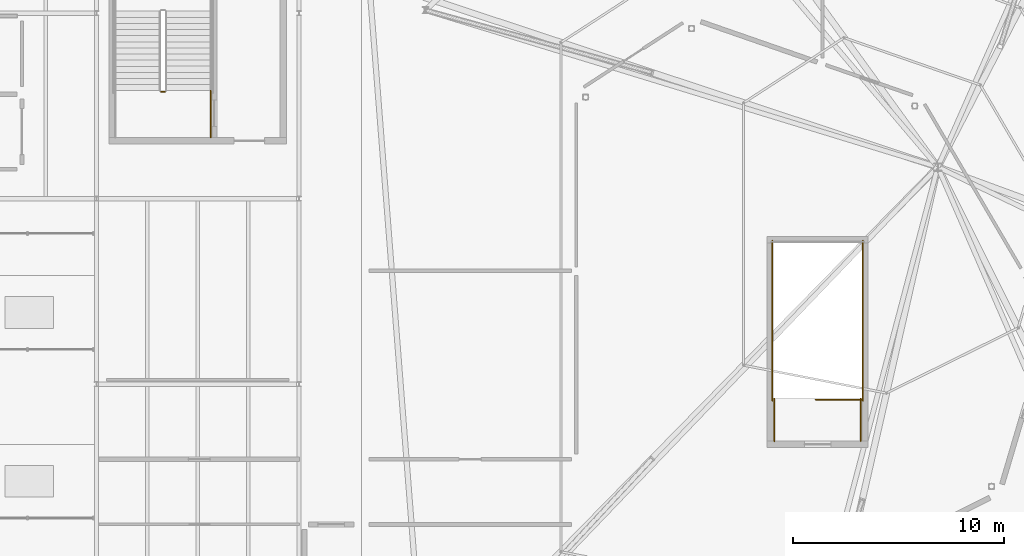
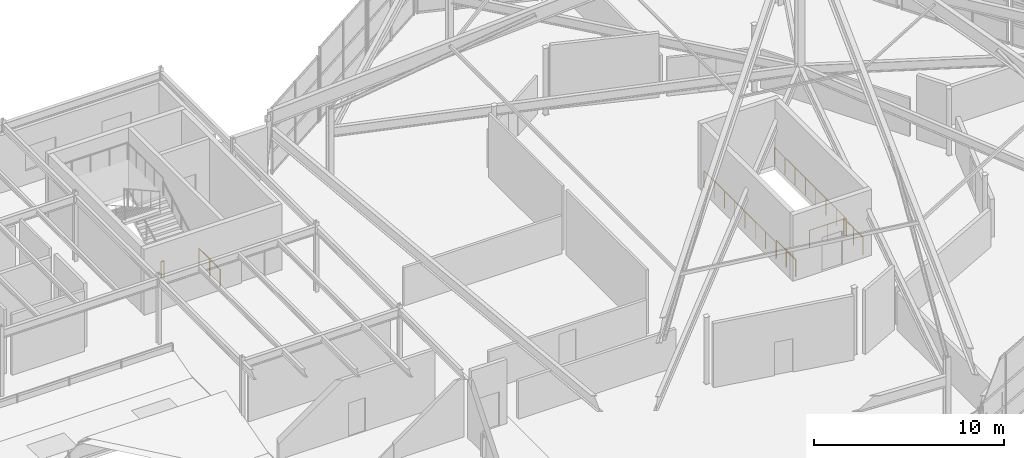
# One storey, part 48 of 50: 7 railings.
"""IFC4 building model written with IfcOpenShell, lengths in metres."""

from ifc_helpers import new_model, si_unit, direction, frame, origin, origin_2d, place, context, subcontext, project, spatial, circle, extrude, material, layer, layer_set, type_object, element, save


model = new_model("IFC4")

# Units and contexts
model_context = context("Model", 3, precision=1e-05, world=origin(), true_north=direction((0.0, 1.0)))
body_context = subcontext(model_context, "Body", "Model", "MODEL_VIEW")
ifc_project = project(units=[si_unit("LENGTHUNIT", "METRE"), si_unit("AREAUNIT", "SQUARE_METRE"), si_unit("VOLUMEUNIT", "CUBIC_METRE"), si_unit("PLANEANGLEUNIT", "RADIAN"), si_unit("MASSUNIT", "GRAM", prefix="KILO")], contexts=[model_context])

# Site, building, storey
site_placement = place(None, origin())
site = spatial("IfcSite", under=ifc_project, at=site_placement, CompositionType="ELEMENT")
building_placement = place(site_placement, origin())
building = spatial("IfcBuilding", under=site, at=building_placement, Name="Sarnbrook Museum", CompositionType="ELEMENT")
storey_placement = place(building_placement, frame((0.0, 0.0, 28.10009765625)))
storey = spatial("IfcBuildingStorey", under=building, at=storey_placement, Name="L05", CompositionType="ELEMENT", Elevation=28.10009765625)

# Railings
ifc_material = material(Name="Brushed Stainless Steel Grade 316", Category="steel")
ifc_layer = layer(ifc_material, 0.050048828125)
ifc_layer_set = layer_set([ifc_layer], Name="Brushed Stainless Steel Grade 316")
railing_type = type_object("IfcRailingType", Name="Guard_Int1120", PredefinedType="BALUSTRADE", material=ifc_layer_set)
railing_1_placement = place(storey_placement, frame((112.840087890625, 97.070068359375, 0.0)))
element("IfcRailing", 1, at=railing_1_placement, inside=storey, type_object=railing_type, Name="L05 ST2 stair guard 7", PredefinedType="BALUSTRADE", context=body_context, shape_type="SweptSolid", body=[
    extrude(circle(Radius=0.02392578125, at=origin_2d()), frame((0.0, 0.0, 1.09619140625), z_axis=(-1.0, 0.0, 0.0), x_axis=(0.0, -1.0, 0.0)), (0.0, 0.0, 1.0), 0.18017578125),
    extrude(circle(Radius=0.02099609375, at=origin_2d()), origin(), (0.0, 0.0, 1.0), 1.072021484375),
    extrude(circle(Radius=0.02099609375, at=origin_2d()), frame((-0.18017578125, 0.0, 0.0)), (0.0, 0.0, 1.0), 1.072021484375),
])
railing_2_placement = place(storey_placement, frame((115.010009765625, 94.89990234375, 0.0)))
element("IfcRailing", 2, at=railing_2_placement, inside=storey, type_object=railing_type, Name="L05 ST2 stair guard 8", PredefinedType="BALUSTRADE", context=body_context, shape_type="SweptSolid", body=[
    extrude(circle(Radius=0.02392578125, at=origin_2d()), frame((0.0, 0.0, 1.09619140625), z_axis=(0.0, 1.0, 0.0), x_axis=(-1.0, 0.0, 0.0)), (0.0, 0.0, 1.0), 2.22021484375),
    extrude(circle(Radius=0.02099609375, at=origin_2d()), origin(), (0.0, 0.0, 1.0), 1.072021484375),
    extrude(circle(Radius=0.02099609375, at=origin_2d()), frame((0.0, 1.110107421875, 0.0)), (0.0, 0.0, 1.0), 1.072021484375),
    extrude(circle(Radius=0.02099609375, at=origin_2d()), frame((0.0, 2.22021484375, 0.0)), (0.0, 0.0, 1.0), 1.072021484375),
])
railing_3_placement = place(storey_placement, frame((145.89990234375, 82.469970703125, 0.0)))
element("IfcRailing", 3, at=railing_3_placement, inside=storey, type_object=railing_type, Name="L05 ST7 top well guard 1", PredefinedType="BALUSTRADE", context=body_context, shape_type="SweptSolid", body=[
    extrude(circle(Radius=0.02392578125, at=origin_2d()), frame((0.0, 0.0, 1.09619140625), z_axis=(-1.0, 0.0, 0.0), x_axis=(0.0, -1.0, 0.0)), (0.0, 0.0, 1.0), 2.179931640625),
    extrude(circle(Radius=0.02099609375, at=origin_2d()), origin(), (0.0, 0.0, 1.0), 1.072021484375),
    extrude(circle(Radius=0.02099609375, at=origin_2d()), frame((-1.08984375, 0.0, 0.0)), (0.0, 0.0, 1.0), 1.072021484375),
    extrude(circle(Radius=0.02099609375, at=origin_2d()), frame((-2.179931640625, 0.0, 0.0)), (0.0, 0.0, 1.0), 1.072021484375),
])
for number, where, name in (
    (4, (145.949951171875, 82.419921875, 0.0), "L05 ST7 top well guard 2"),
    (5, (141.64990234375, 82.419921875, 0.0), "L05 ST7 top well guard 3"),
):
    element("IfcRailing", number, at=place(storey_placement, frame(where)), inside=storey, type_object=railing_type, Name=name, PredefinedType="BALUSTRADE", context=body_context, shape_type="SweptSolid", body=[
        extrude(circle(Radius=0.02392578125, at=origin_2d()), frame((0.0, 0.0, 1.09619140625), z_axis=(0.0, 1.0, 0.0), x_axis=(-1.0, 0.0, 0.0)), (0.0, 0.0, 1.0), 7.580078125),
        extrude(circle(Radius=0.02099609375, at=origin_2d()), origin(), (0.0, 0.0, 1.0), 1.072021484375),
        extrude(circle(Radius=0.02099609375, at=origin_2d()), frame((0.0, 1.082763671875, 0.0)), (0.0, 0.0, 1.0), 1.072021484375),
        extrude(circle(Radius=0.02099609375, at=origin_2d()), frame((0.0, 2.165771484375, 0.0)), (0.0, 0.0, 1.0), 1.072021484375),
        extrude(circle(Radius=0.02099609375, at=origin_2d()), frame((0.0, 3.24853515625, 0.0)), (0.0, 0.0, 1.0), 1.072021484375),
        extrude(circle(Radius=0.02099609375, at=origin_2d()), frame((0.0, 4.33154296875, 0.0)), (0.0, 0.0, 1.0), 1.072021484375),
        extrude(circle(Radius=0.02099609375, at=origin_2d()), frame((0.0, 5.414306640625, 0.0)), (0.0, 0.0, 1.0), 1.072021484375),
        extrude(circle(Radius=0.02099609375, at=origin_2d()), frame((0.0, 6.497314453125, 0.0)), (0.0, 0.0, 1.0), 1.072021484375),
        extrude(circle(Radius=0.02099609375, at=origin_2d()), frame((0.0, 7.580078125, 0.0)), (0.0, 0.0, 1.0), 1.072021484375),
    ])
for number, where, name in (
    (6, (145.85009765625, 80.5, 0.0), "L05 ST7 top well guard 5"),
    (7, (141.75, 80.5, 0.0), "L05 ST7 top well guard 6"),
):
    element("IfcRailing", number, at=place(storey_placement, frame(where)), inside=storey, type_object=railing_type, Name=name, PredefinedType="BALUSTRADE", context=body_context, shape_type="SweptSolid", body=[
        extrude(circle(Radius=0.02392578125, at=origin_2d()), frame((0.0, 0.0, 1.09619140625), z_axis=(0.0, 1.0, 0.0), x_axis=(-1.0, 0.0, 0.0)), (0.0, 0.0, 1.0), 2.02001953125),
        extrude(circle(Radius=0.02099609375, at=origin_2d()), origin(), (0.0, 0.0, 1.0), 1.072021484375),
        extrude(circle(Radius=0.02099609375, at=origin_2d()), frame((0.0, 1.010009765625, 0.0)), (0.0, 0.0, 1.0), 1.072021484375),
        extrude(circle(Radius=0.02099609375, at=origin_2d()), frame((0.0, 2.02001953125, 0.0)), (0.0, 0.0, 1.0), 1.072021484375),
    ])

save(model, "model.ifc")
